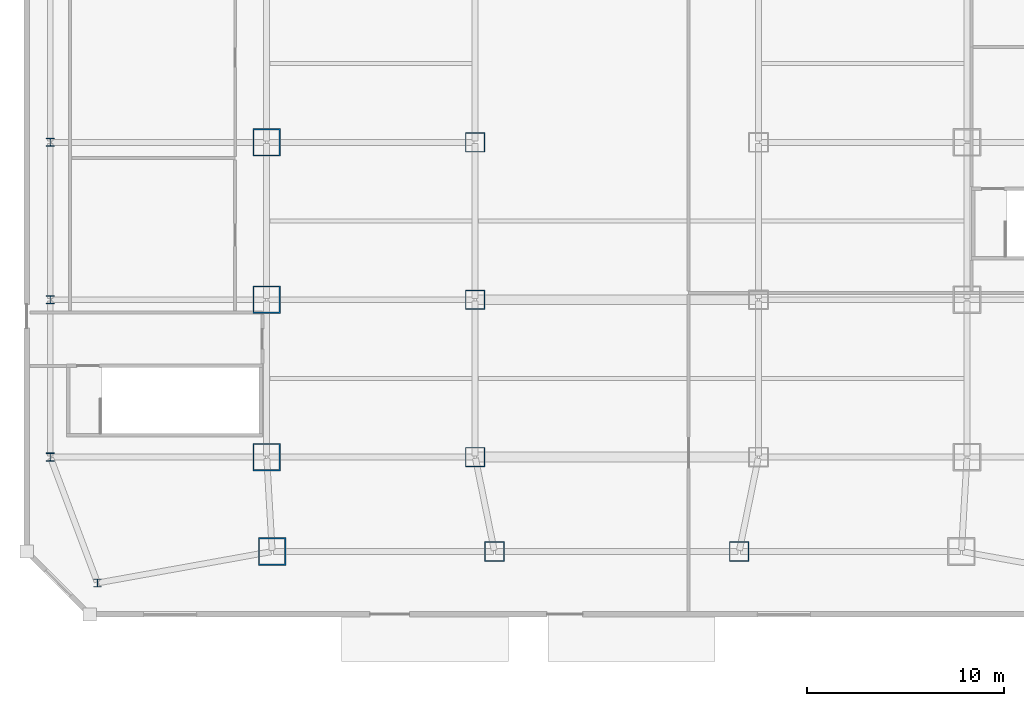
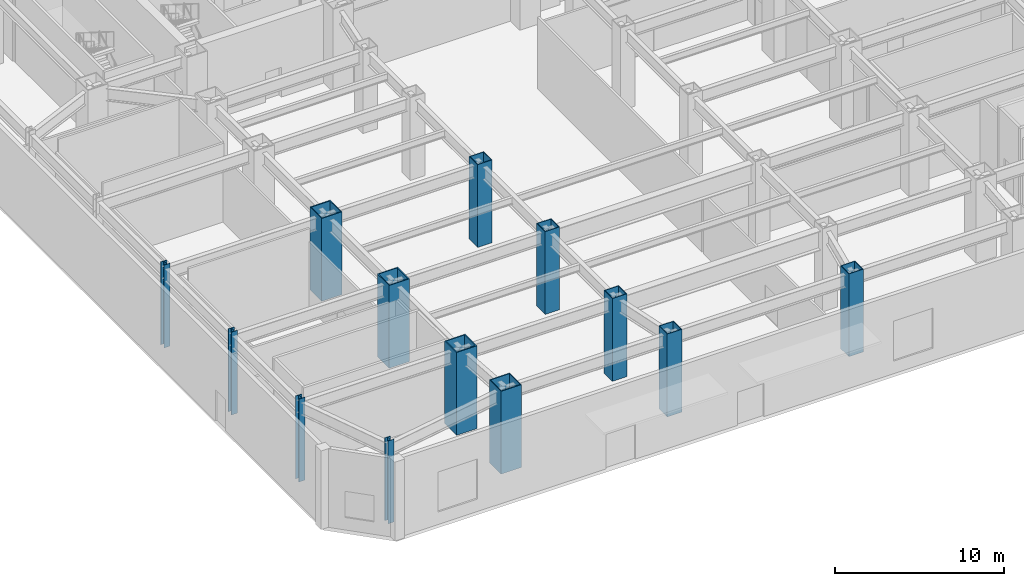
# One storey, part 1 of 23: 13 columns.
"""IFC4 building model written with IfcOpenShell, lengths in metres."""

from ifc_helpers import new_model, si_unit, direction, frame, origin, origin_2d, place, context, subcontext, project, spatial, hollow_rectangle, i_section, extrude, material, material_profile, profile_set, type_object, element, save


model = new_model("IFC4")

# Units and contexts
model_context = context("Model", 3, precision=1e-05, world=origin(), true_north=direction((0.0, 1.0)))
body_context = subcontext(model_context, "Body", "Model", "MODEL_VIEW")
ifc_project = project(units=[si_unit("LENGTHUNIT", "METRE"), si_unit("AREAUNIT", "SQUARE_METRE"), si_unit("VOLUMEUNIT", "CUBIC_METRE"), si_unit("PLANEANGLEUNIT", "RADIAN"), si_unit("MASSUNIT", "GRAM", prefix="KILO")], contexts=[model_context])

# Site, building, storey
site_placement = place(None, origin())
site = spatial("IfcSite", under=ifc_project, at=site_placement, CompositionType="ELEMENT")
building_placement = place(site_placement, origin())
building = spatial("IfcBuilding", under=site, at=building_placement, Name="Saevonmaru Cultural Tower", CompositionType="ELEMENT")
storey_placement = place(building_placement, origin())
storey = spatial("IfcBuildingStorey", under=building, at=storey_placement, Name="L00", CompositionType="ELEMENT", Elevation=0.0)

# Columns
ifc_material_1 = material(Name="Steel SM420", Category="steel")
ifc_material_profile_1 = material_profile(ifc_material_1, hollow_rectangle(XDim=1.0, YDim=1.0, WallThickness=0.044921875, at=origin_2d()), Name="BOX-1000x1000x45")
ifc_profile_set_1 = profile_set([ifc_material_profile_1], Name="Steel SM420")
column_type_1 = type_object("IfcColumnType", Name="COL-BOX-1000", PredefinedType="COLUMN", material=ifc_profile_set_1)
for number, where, z_axis, x_axis, name in (
    (1, (23.780029296875, 3.199951171875, 0.0), (0.0, 0.0, 1.0), (1.0, 0.0, 0.0), "L00 Column PC-W2-A"),
    (2, (36.219970703125, 3.199951171875, 0.0), (0.0, 0.0, 1.0), (1.0, 0.0, 0.0), "L00 Column PC-E2-A"),
    (3, (22.800048828125, 8.0, 0.0), (0.0, 0.0, 1.0), (1.0, 0.0, 0.0), "L00 Column PC-W2-B"),
    (4, (22.800048828125, 16.0, 0.0), (0.0, 0.0, 1.0), (1.0, 0.0, 0.0), "L00 Column PC-W2-C"),
    (5, (22.800048828125, 24.0, 0.0), (0.0, 0.0, 1.0), (1.0, 0.0, 0.0), "L00 Column PC-W2-D"),
):
    element("IfcColumn", number, at=place(storey_placement, frame(where, z_axis=z_axis, x_axis=x_axis)), inside=storey, type_object=column_type_1, Name=name, PredefinedType="COLUMN", context=body_context, shape_type="SweptSolid", body=[
        extrude(hollow_rectangle(XDim=1.0, YDim=1.0, WallThickness=0.044921875, at=origin_2d()), origin(), (0.0, 0.0, 1.0), 6.0),
    ])
ifc_material_2 = material(Name="Steel HSA600 (600 MPa)", Category="steel")
ifc_material_profile_2 = material_profile(ifc_material_2, hollow_rectangle(XDim=1.39990234375, YDim=1.39990234375, WallThickness=0.06494140625, at=origin_2d()), Name="BOX-1400x1400x65")
ifc_profile_set_2 = profile_set([ifc_material_profile_2], Name="Steel HSA600 (600 MPa)")
column_type_2 = type_object("IfcColumnType", Name="COL-BOX-1400", PredefinedType="COLUMN", material=ifc_profile_set_2)
for number, where, z_axis, x_axis, name in (
    (6, (12.47998046875, 3.199951171875, 0.0), (0.0, 0.0, 1.0), (1.0, 0.0, 0.0), "L00 Column PC-W1-A"),
    (7, (12.199951171875, 8.0, 0.0), (0.0, 0.0, 1.0), (1.0, 0.0, 0.0), "L00 Column PC-W1-B"),
    (8, (12.199951171875, 16.0, 0.0), (0.0, 0.0, 1.0), (1.0, 0.0, 0.0), "L00 Column PC-W1-C"),
    (9, (12.199951171875, 24.0, 0.0), (0.0, 0.0, 1.0), (1.0, 0.0, 0.0), "L00 Column PC-W1-D"),
):
    element("IfcColumn", number, at=place(storey_placement, frame(where, z_axis=z_axis, x_axis=x_axis)), inside=storey, type_object=column_type_2, Name=name, PredefinedType="COLUMN", context=body_context, shape_type="SweptSolid", body=[
        extrude(hollow_rectangle(XDim=1.39990234375, YDim=1.39990234375, WallThickness=0.06494140625, at=origin_2d()), origin(), (0.0, 0.0, 1.0), 6.0),
    ])
ifc_material_3 = material(Name="Steel SM355", Category="steel")
ifc_material_profile_3 = material_profile(ifc_material_3, i_section(OverallWidth=0.39990234375, OverallDepth=0.39990234375, WebThickness=0.012939453125, FlangeThickness=0.02099609375, FilletRadius=0.02197265625, at=origin_2d()), Name="H-400x400x13x21")
ifc_profile_set_3 = profile_set([ifc_material_profile_3], Name="Steel SM355")
column_type_3 = type_object("IfcColumnType", Name="COL-H-400", PredefinedType="COLUMN", material=ifc_profile_set_3)
column_placement = place(storey_placement, frame((3.60009765625, 1.60009765625, 0.0), z_axis=(0.0, 0.0, 1.0), x_axis=(1.0, 0.0, 0.0)))
element("IfcColumn", 10, at=column_placement, inside=storey, type_object=column_type_3, Name="L00 Column PC-PS-SW", PredefinedType="COLUMN", context=body_context, shape_type="SweptSolid", body=[
    extrude(i_section(OverallWidth=0.39990234375, OverallDepth=0.39990234375, WebThickness=0.012939453125, FlangeThickness=0.02099609375, FilletRadius=0.02197265625, at=origin_2d()), origin(), (0.0, 0.0, 1.0), 6.0),
])
ifc_material_profile_4 = material_profile(ifc_material_1, i_section(OverallWidth=0.419921875, OverallDepth=0.419921875, WebThickness=0.02001953125, FlangeThickness=0.034912109375, FilletRadius=0.02197265625, at=origin_2d()), Name="H-428x407x20x35")
ifc_profile_set_4 = profile_set([ifc_material_profile_4], Name="Steel SM420")
column_type_4 = type_object("IfcColumnType", Name="COL-H-428", PredefinedType="COLUMN", material=ifc_profile_set_4)
for number, where, z_axis, x_axis, name in (
    (11, (1.199951171875, 8.0, 0.0), (0.0, 0.0, 1.0), (1.0, 0.0, 0.0), "L00 Column PC-PW-B"),
    (12, (1.199951171875, 16.0, 0.0), (0.0, 0.0, 1.0), (1.0, 0.0, 0.0), "L00 Column PC-PW-C"),
    (13, (1.199951171875, 24.0, 0.0), (0.0, 0.0, 1.0), (1.0, 0.0, 0.0), "L00 Column PC-PW-D"),
):
    element("IfcColumn", number, at=place(storey_placement, frame(where, z_axis=z_axis, x_axis=x_axis)), inside=storey, type_object=column_type_4, Name=name, PredefinedType="COLUMN", context=body_context, shape_type="SweptSolid", body=[
        extrude(i_section(OverallWidth=0.419921875, OverallDepth=0.419921875, WebThickness=0.02001953125, FlangeThickness=0.034912109375, FilletRadius=0.02197265625, at=origin_2d()), origin(), (0.0, 0.0, 1.0), 6.0),
    ])

save(model, "model.ifc")
